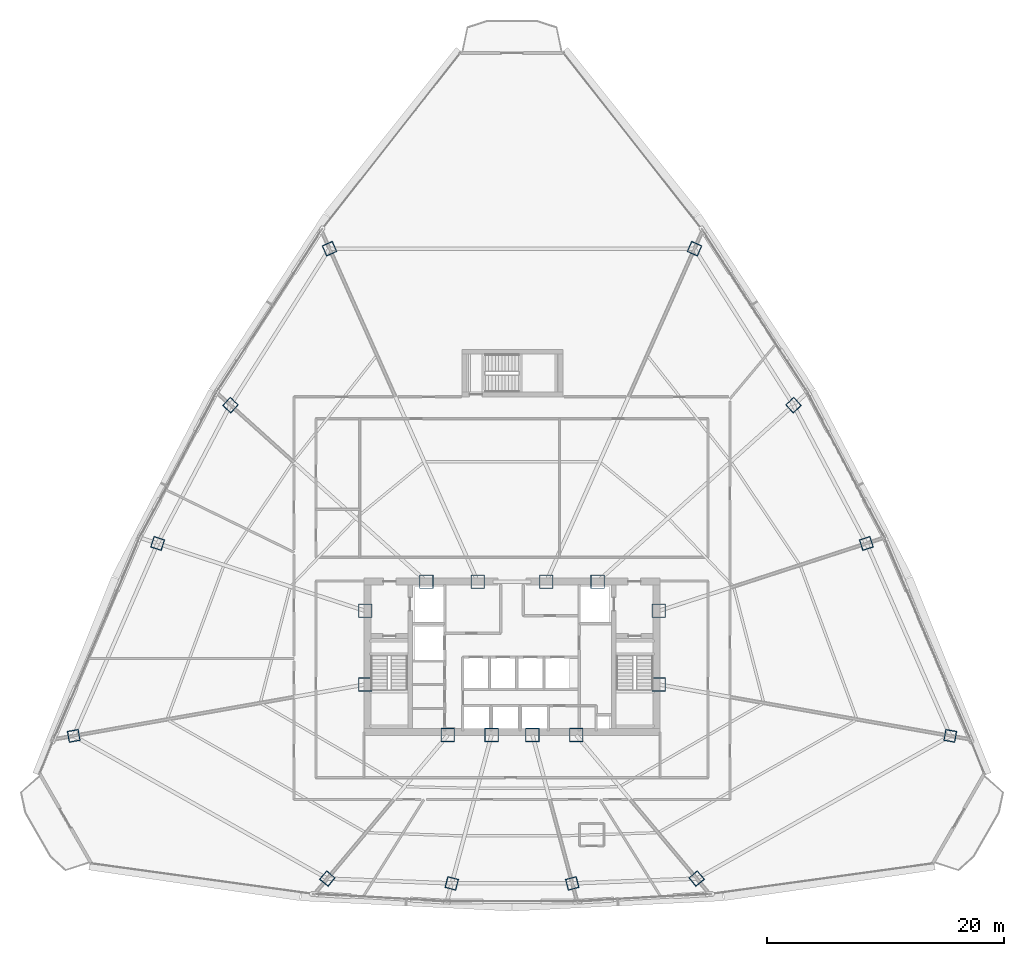
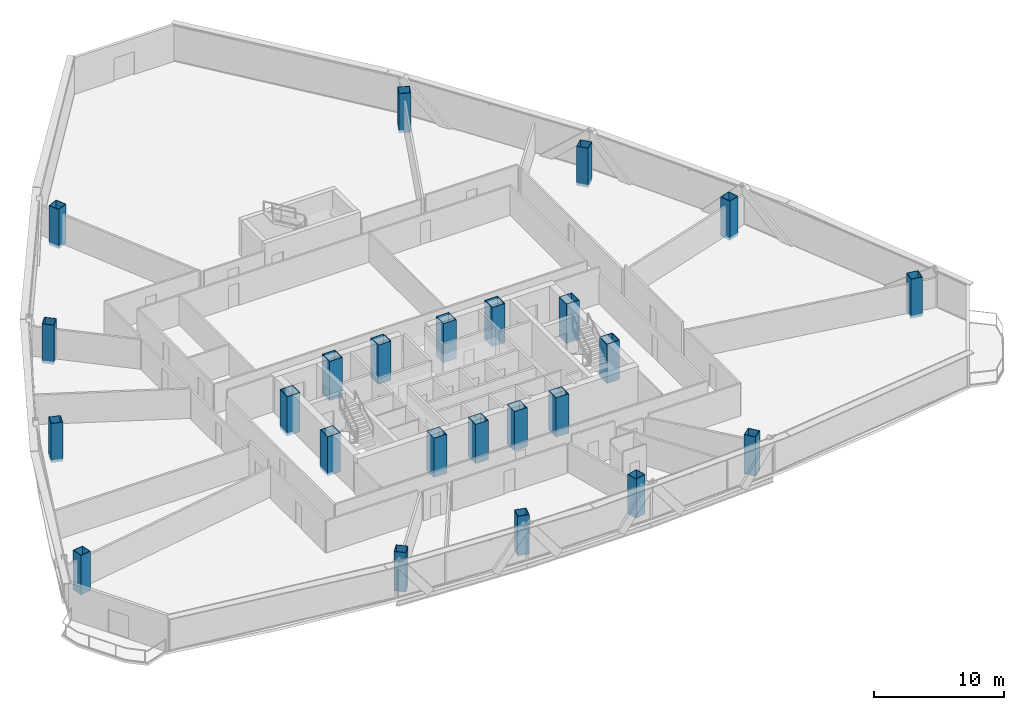
# One storey, part 1 of 39: 24 columns.
"""IFC4 building model written with IfcOpenShell, lengths in metres."""

import ifcopenshell
import ifcopenshell.guid

model = None  # the IFC model being written
_history = None  # IfcOwnerHistory: only IFC2X3 demands one
_inside = {}  # id of a spatial element -> (the spatial element, [elements in it])
_under = {}  # id of a project, library or spatial element -> (it, [spatial elements below it])
_declared = {}  # id of a project -> (the project, [libraries it declares])
_typed = {}  # id of a type object -> (the type object, [elements of that type])
_made_of = {}  # id of a material, layer set ... -> (it, [elements and type objects made of it])


def new_model(schema):
    """Start an empty IFC model of exactly this schema.

    Asked for "IFC4X3", IfcOpenShell would pick the latest addendum, in which some entities
    have other attributes; the version numbers below select the first issue.
    IFC2X3 requires an IfcOwnerHistory on every rooted entity: one is made here for all.
    """
    global model, _history
    if schema == "IFC4X3":
        model = ifcopenshell.file(schema_version=(4, 3, 0, 0))
    else:
        model = ifcopenshell.file(schema=schema)
    _inside.clear()
    _under.clear()
    _declared.clear()
    _typed.clear()
    _made_of.clear()
    _history = None
    if model.schema == "IFC2X3":
        org = make("IfcOrganization", Name="unknown")
        user = make(
            "IfcPersonAndOrganization",
            ThePerson=make("IfcPerson", FamilyName="unknown"),
            TheOrganization=org,
        )
        app = make(
            "IfcApplication",
            ApplicationDeveloper=org,
            Version="unknown",
            ApplicationFullName="unknown",
            ApplicationIdentifier="unknown",
        )
        _history = make(
            "IfcOwnerHistory",
            OwningUser=user,
            OwningApplication=app,
            ChangeAction="ADDED",
            CreationDate=0,
        )
    return model


def make(cls, **values):
    """One entity of the class cls with the attributes given. An attribute that is None is left unset."""
    return model.create_entity(
        cls, **{name: value for name, value in values.items() if value is not None}
    )


def rooted(cls, **values):
    """An entity with a GlobalId (a new one), such as an element, a storey or a relation."""
    return make(cls, GlobalId=ifcopenshell.guid.new(), OwnerHistory=_history, **values)


def si_unit(unit_type, name, prefix=None):
    """IfcSIUnit, for example si_unit("LENGTHUNIT", "METRE", prefix="MILLI")."""
    return make("IfcSIUnit", UnitType=unit_type, Prefix=prefix, Name=name)


def assignment(units):
    """IfcUnitAssignment: the units of a project."""
    return None if units is None else make("IfcUnitAssignment", Units=units)


def point(xyz):
    """IfcCartesianPoint."""
    return None if xyz is None else make("IfcCartesianPoint", Coordinates=xyz)


def direction(xyz):
    """IfcDirection."""
    return None if xyz is None else make("IfcDirection", DirectionRatios=xyz)


def frame(location, z_axis=None, x_axis=None):
    """IfcAxis2Placement3D, a coordinate frame: its origin and axes. An axis left out is left unset."""
    return make(
        "IfcAxis2Placement3D",
        Location=point(location),
        Axis=direction(z_axis),
        RefDirection=direction(x_axis),
    )


def frame_2d(location, x_axis=None):
    """IfcAxis2Placement2D, a coordinate frame in the plane: its origin and x axis."""
    return make(
        "IfcAxis2Placement2D", Location=point(location), RefDirection=direction(x_axis)
    )


def origin():
    """The frame at (0, 0, 0) with its axes left unset."""
    return frame((0.0, 0.0, 0.0))


def origin_2d():
    """The frame at (0, 0) in the plane with its x axis left unset."""
    return frame_2d((0.0, 0.0))


def place(relative_to, where):
    """IfcLocalPlacement: puts the frame where relative to a parent placement (None: the world)."""
    return make(
        "IfcLocalPlacement", PlacementRelTo=relative_to, RelativePlacement=where
    )


def context(
    kind, dimensions, precision=None, world=None, true_north=None, identifier=None
):
    """IfcGeometricRepresentationContext, for example the 3D "Model" context."""
    return make(
        "IfcGeometricRepresentationContext",
        ContextIdentifier=identifier,
        ContextType=kind,
        CoordinateSpaceDimension=dimensions,
        Precision=precision,
        WorldCoordinateSystem=world,
        TrueNorth=true_north,
    )


def subcontext(parent, identifier, kind, view, scale=None):
    """IfcGeometricRepresentationSubContext, for example "Body" below "Model"."""
    return make(
        "IfcGeometricRepresentationSubContext",
        ContextIdentifier=identifier,
        ContextType=kind,
        ParentContext=parent,
        TargetScale=scale,
        TargetView=view,
    )


def project(units=None, contexts=None):
    """IfcProject with its units and contexts."""
    return rooted(
        "IfcProject",
        Name="project",
        RepresentationContexts=contexts,
        UnitsInContext=assignment(units),
    )


def spatial(cls, under=None, at=None, **own):
    """A site, building, storey or space (cls), placed at a placement, below another one or the project."""
    s = rooted(cls, ObjectPlacement=at, **own)
    if under is not None:
        _under.setdefault(under.id(), (under, []))[1].append(s)
    return s


def profile(cls, at=None, kind="AREA", **sizes):
    """A parametric profile (cls). Its sizes go by their IFC names, for example OverallWidth=200.0."""
    return make(cls, ProfileType=kind, Position=at, **sizes)


def hollow_rectangle(**sizes):
    """IfcRectangleHollowProfileDef."""
    return profile("IfcRectangleHollowProfileDef", **sizes)


def extrude(swept, where, along, depth):
    """IfcExtrudedAreaSolid: the profile swept, set in the frame where, extruded along a direction by depth."""
    return make(
        "IfcExtrudedAreaSolid",
        SweptArea=swept,
        Position=where,
        ExtrudedDirection=direction(along),
        Depth=depth,
    )


def shape(context_of_items, identifier, shape_type, items):
    """IfcShapeRepresentation: the items that make up one representation, for example the "Body"."""
    return make(
        "IfcShapeRepresentation",
        ContextOfItems=context_of_items,
        RepresentationIdentifier=identifier,
        RepresentationType=shape_type,
        Items=items,
    )


def source(mapping_origin, context_of_items, identifier, shape_type, items):
    """IfcRepresentationMap: a shape defined once, which mapped items show again and again."""
    return make(
        "IfcRepresentationMap",
        MappingOrigin=mapping_origin,
        MappedRepresentation=shape(context_of_items, identifier, shape_type, items),
    )


def transform(
    local_origin,
    x_axis=None,
    y_axis=None,
    z_axis=None,
    scale=None,
    scale2=None,
    scale3=None,
    uniform=True,
):
    """IfcCartesianTransformationOperator3D, or its non-uniform kind. x_axis, y_axis, z_axis: its Axis1, 2, 3."""
    if uniform:
        return make(
            "IfcCartesianTransformationOperator3D",
            Axis1=direction(x_axis),
            Axis2=direction(y_axis),
            LocalOrigin=point(local_origin),
            Scale=scale,
            Axis3=direction(z_axis),
        )
    return make(
        "IfcCartesianTransformationOperator3DnonUniform",
        Axis1=direction(x_axis),
        Axis2=direction(y_axis),
        LocalOrigin=point(local_origin),
        Scale=scale,
        Axis3=direction(z_axis),
        Scale2=scale2,
        Scale3=scale3,
    )


def mapped(mapping_source, mapping_target):
    """IfcMappedItem: shows the shape of a source again, moved by a transform."""
    return make(
        "IfcMappedItem", MappingSource=mapping_source, MappingTarget=mapping_target
    )


def material(Name=None, Category=None):
    """IfcMaterial."""
    return make("IfcMaterial", Name=Name, Category=Category)


def material_profile(
    of_material, cross_section, Name=None, Category=None, Priority=None
):
    """IfcMaterialProfile: a cross section and its material."""
    return make(
        "IfcMaterialProfile",
        Name=Name,
        Material=of_material,
        Profile=cross_section,
        Priority=Priority,
        Category=Category,
    )


def profile_set(profiles, Name=None, composite=None):
    """IfcMaterialProfileSet."""
    return make(
        "IfcMaterialProfileSet",
        Name=Name,
        MaterialProfiles=profiles,
        CompositeProfile=composite,
    )


def made_of(thing, what):
    """Note that an element or type object is made of a material, layer set ...; save() writes the relation."""
    if what is not None:
        _made_of.setdefault(what.id(), (what, []))[1].append(thing)
    return thing


def type_object(cls, material=None, **own):
    """A type object (cls), such as IfcWallType, which elements share."""
    return made_of(rooted(cls, **own), material)


def element(
    cls,
    number,
    at=None,
    inside=None,
    cuts=None,
    type_object=None,
    material=None,
    context=None,
    identifier="Body",
    shape_type=None,
    held_by="IfcProductDefinitionShape",
    body=None,
    shapes=None,
    **own,
):
    """One element of the class cls, such as IfcWall. Its Tag is "e" and its number.

    at: its placement. inside: the storey or other place that contains it. cuts: it is an
    opening in that element (IfcRelVoidsElement). A single representation is given by context,
    identifier, shape_type and body (its items); several are given by shapes. held_by: the class
    of the entity that holds the representations. save() writes the other relations.
    """
    e = rooted(cls, Tag="e%d" % number, ObjectPlacement=at, **own)
    if body is not None:
        shapes = [shape(context, identifier, shape_type, body)]
    if shapes is not None:
        e.Representation = make(held_by, Representations=shapes)
    if inside is not None:
        _inside.setdefault(inside.id(), (inside, []))[1].append(e)
    if cuts is not None:
        rooted(
            "IfcRelVoidsElement", RelatingBuildingElement=cuts, RelatedOpeningElement=e
        )
    if type_object is not None:
        _typed.setdefault(type_object.id(), (type_object, []))[1].append(e)
    return made_of(e, material)


def aggregate(whole, parts):
    """IfcRelAggregates: a whole, such as a stair, and the parts it consists of."""
    return rooted("IfcRelAggregates", RelatingObject=whole, RelatedObjects=parts)


def save(model, path):
    """Write the relations noted so far, then the file.

    IfcRelAggregates (storeys below a building ...), IfcRelContainedInSpatialStructure (elements
    in a storey), IfcRelDefinesByType, IfcRelAssociatesMaterial and IfcRelDeclares: one each for
    every whole, place, type object, material and project.
    """
    for whole, parts in _under.values():
        aggregate(whole, parts)
    for where, things in _inside.values():
        rooted(
            "IfcRelContainedInSpatialStructure",
            RelatedElements=things,
            RelatingStructure=where,
        )
    for kind, things in _typed.values():
        rooted("IfcRelDefinesByType", RelatedObjects=things, RelatingType=kind)
    for what, things in _made_of.values():
        rooted("IfcRelAssociatesMaterial", RelatedObjects=things, RelatingMaterial=what)
    for by, libraries in _declared.values():
        rooted("IfcRelDeclares", RelatingContext=by, RelatedDefinitions=libraries)
    model.write(path)


model = new_model("IFC4")

# Units and contexts
model_context = context("Model", 3, precision=1e-05, world=origin(), true_north=direction((0.0, 1.0)))
body_context = subcontext(model_context, "Body", "Model", "MODEL_VIEW")
ifc_project = project(units=[si_unit("LENGTHUNIT", "METRE"), si_unit("AREAUNIT", "SQUARE_METRE"), si_unit("VOLUMEUNIT", "CUBIC_METRE"), si_unit("PLANEANGLEUNIT", "RADIAN"), si_unit("MASSUNIT", "GRAM", prefix="KILO"), si_unit("THERMODYNAMICTEMPERATUREUNIT", "KELVIN"), si_unit("POWERUNIT", "WATT")], contexts=[model_context])

# Site, building, storey
site_placement = place(None, origin())
site = spatial("IfcSite", under=ifc_project, at=site_placement, CompositionType="ELEMENT")
building_placement = place(site_placement, origin())
building = spatial("IfcBuilding", under=site, at=building_placement, Name="Yunzhuo Pagoda Commons", CompositionType="ELEMENT")
storey_placement = place(building_placement, frame((0.0, 0.0, 140.8701171875)))
storey = spatial("IfcBuildingStorey", under=building, at=storey_placement, Name="L35", CompositionType="ELEMENT", Elevation=140.8701171875)

# Columns
ifc_material = material(Name="Structural steel Q420B", Category="steel")
ifc_material_profile_1 = material_profile(ifc_material, hollow_rectangle(XDim=1.14990234375, YDim=1.14990234375, WallThickness=0.048095703125, at=origin_2d()), Name="Structural steel Q420B")
ifc_profile_set_1 = profile_set([ifc_material_profile_1], Name="Structural steel Q420B")
column_type_1 = type_object("IfcColumnType", Name="C-COR Column BOX 1150x1150x48", PredefinedType="COLUMN", material=ifc_profile_set_1)
shared_shape_1 = source(origin(), body_context, "Body", "SweptSolid", [
    extrude(hollow_rectangle(XDim=1.14990234375, YDim=1.14990234375, WallThickness=0.048095703125, at=origin_2d()), origin(), (0.0, 0.0, 1.0), 3.679931640625),
])
for number, where, z_axis, x_axis, name in (
    (1, (42.587890625, 27.25, -0.260009765625), (0.0, 0.0, 1.0), (1.0, 0.0, 0.0), "L35 core composite column F1C1"),
    (2, (46.27197265625, 27.25, -0.260009765625), (0.0, 0.0, 1.0), (1.0, 0.0, 0.0), "L35 core composite column F1C2"),
    (3, (49.728515625, 27.25, -0.260009765625), (0.0, 0.0, 1.0), (1.0, 0.0, 0.0), "L35 core composite column F1C3"),
    (4, (53.412109375, 27.25, -0.260009765625), (0.0, 0.0, 1.0), (1.0, 0.0, 0.0), "L35 core composite column F1C4"),
    (5, (60.39990234375, 31.513427734375, -0.260009765625), (0.0, 0.0, 1.0), (1.0, 0.0, 0.0), "L35 core composite column F2C1"),
    (6, (60.39990234375, 37.72900390625, -0.260009765625), (0.0, 0.0, 1.0), (1.0, 0.0, 0.0), "L35 core composite column F2C2"),
    (7, (55.218994140625, 40.199951171875, -0.260009765625), (0.0, 0.0, 1.0), (1.0, 0.0, 0.0), "L35 core composite column F2C3"),
    (8, (50.89404296875, 40.199951171875, -0.260009765625), (0.0, 0.0, 1.0), (1.0, 0.0, 0.0), "L35 core composite column F2C4"),
    (9, (45.10595703125, 40.199951171875, -0.260009765625), (0.0, 0.0, 1.0), (1.0, 0.0, 0.0), "L35 core composite column F3C1"),
    (10, (40.781005859375, 40.199951171875, -0.260009765625), (0.0, 0.0, 1.0), (1.0, 0.0, 0.0), "L35 core composite column F3C2"),
    (11, (35.60009765625, 37.72900390625, -0.260009765625), (0.0, 0.0, 1.0), (1.0, 0.0, 0.0), "L35 core composite column F3C3"),
    (12, (35.60009765625, 31.513427734375, -0.260009765625), (0.0, 0.0, 1.0), (1.0, 0.0, 0.0), "L35 core composite column F3C4"),
):
    element("IfcColumn", number, at=place(storey_placement, frame(where, z_axis=z_axis, x_axis=x_axis)), inside=storey, type_object=column_type_1, Name=name, PredefinedType="COLUMN", context=body_context, shape_type="MappedRepresentation", body=[
        mapped(shared_shape_1, transform((0.0, 0.0, 0.0), scale=1.0)),
    ])
ifc_material_profile_2 = material_profile(ifc_material, hollow_rectangle(XDim=0.949951171875, YDim=0.949951171875, WallThickness=0.0400390625, at=origin_2d()), Name="Structural steel Q420B")
ifc_profile_set_2 = profile_set([ifc_material_profile_2], Name="Structural steel Q420B")
column_type_2 = type_object("IfcColumnType", Name="C-Z3 Column BOX 950x950x40", PredefinedType="COLUMN", material=ifc_profile_set_2)
shared_shape_2 = source(origin(), body_context, "Body", "SweptSolid", [
    extrude(hollow_rectangle(XDim=0.949951171875, YDim=0.949951171875, WallThickness=0.0400390625, at=origin_2d()), origin(), (0.0, 0.0, 1.0), 3.679931640625),
])
for number, where, z_axis, x_axis, name in (
    (13, (32.414794921875, 15.126220703125, -0.260009765625), (0.0, 0.0, 1.0), (0.766044443119, -0.642787609687, 0.0), "L35 tower column F1C1"),
    (14, (42.914794921875, 14.7216796875, -0.260009765625), (0.0, 0.0, 1.0), (0.965925826289, -0.258819045103, 0.0), "L35 tower column F1C2"),
    (15, (53.085205078125, 14.7216796875, -0.260009765625), (0.0, 0.0, 1.0), (0.965925826289, 0.258819045103, 0.0), "L35 tower column F1C3"),
    (16, (63.585205078125, 15.126220703125, -0.260009765625), (0.0, 0.0, 1.0), (0.766044443119, 0.642787609687, 0.0), "L35 tower column F1C4"),
    (17, (84.9970703125, 27.176513671875, -0.260009765625), (0.0, 0.0, 1.0), (0.173648177667, 0.984807753012, 0.0), "L35 tower column F2C1"),
    (18, (77.915283203125, 43.420166015625, -0.260009765625), (0.0, 0.0, 1.0), (-0.309016994375, 0.951056516295, 0.0), "L35 tower column F2C2"),
    (19, (71.76611328125, 55.09912109375, -0.260009765625), (0.0, 0.0, 1.0), (-0.669130606359, 0.743144825477, 0.0), "L35 tower column F2C3"),
    (20, (63.406005859375, 68.302734375, -0.260009765625), (0.0, 0.0, 1.0), (-0.913545457643, 0.406736643076, 0.0), "L35 tower column F2C4"),
    (21, (32.593994140625, 68.302734375, -0.260009765625), (0.0, 0.0, 1.0), (-0.913545457643, -0.406736643076, 0.0), "L35 tower column F3C1"),
    (22, (24.23388671875, 55.09912109375, -0.260009765625), (0.0, 0.0, 1.0), (-0.669130606359, -0.743144825477, 0.0), "L35 tower column F3C2"),
    (23, (18.084716796875, 43.420166015625, -0.260009765625), (0.0, 0.0, 1.0), (-0.309016994375, -0.951056516295, 0.0), "L35 tower column F3C3"),
    (24, (11.0029296875, 27.176513671875, -0.260009765625), (0.0, 0.0, 1.0), (0.173648177667, -0.984807753012, 0.0), "L35 tower column F3C4"),
):
    element("IfcColumn", number, at=place(storey_placement, frame(where, z_axis=z_axis, x_axis=x_axis)), inside=storey, type_object=column_type_2, Name=name, PredefinedType="COLUMN", context=body_context, shape_type="MappedRepresentation", body=[
        mapped(shared_shape_2, transform((0.0, 0.0, 0.0), scale=1.0)),
    ])

save(model, "model.ifc")
